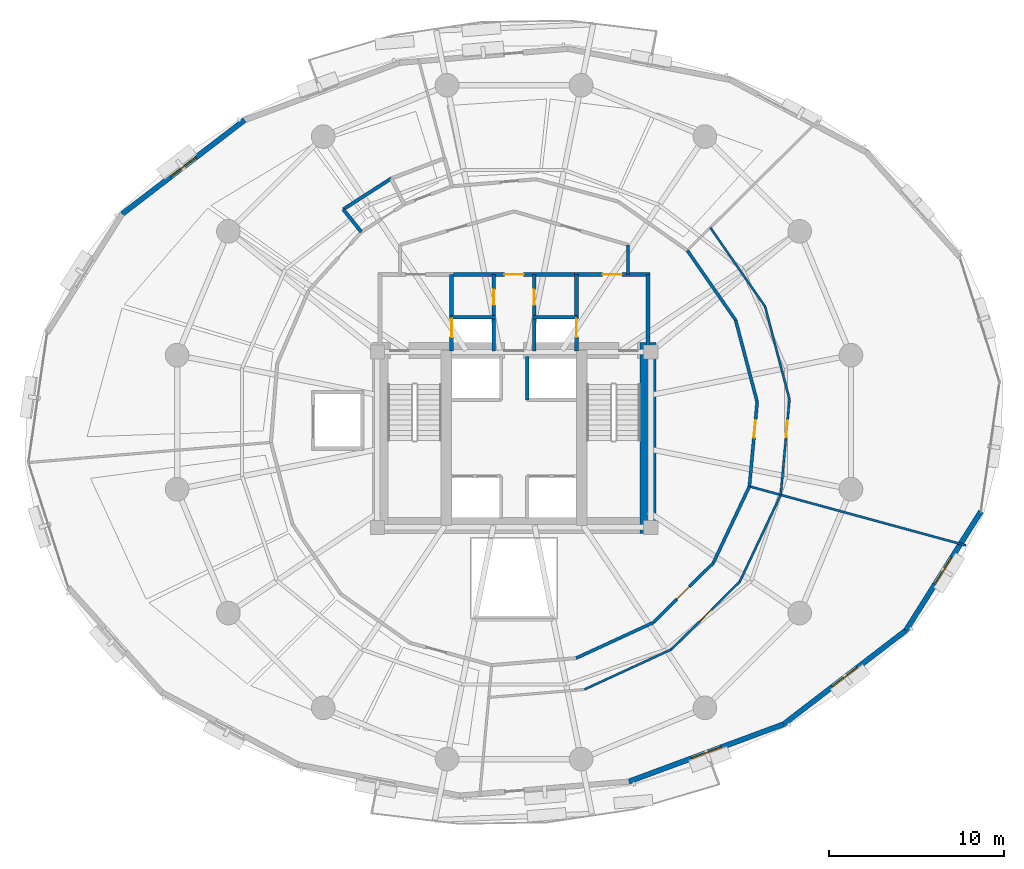
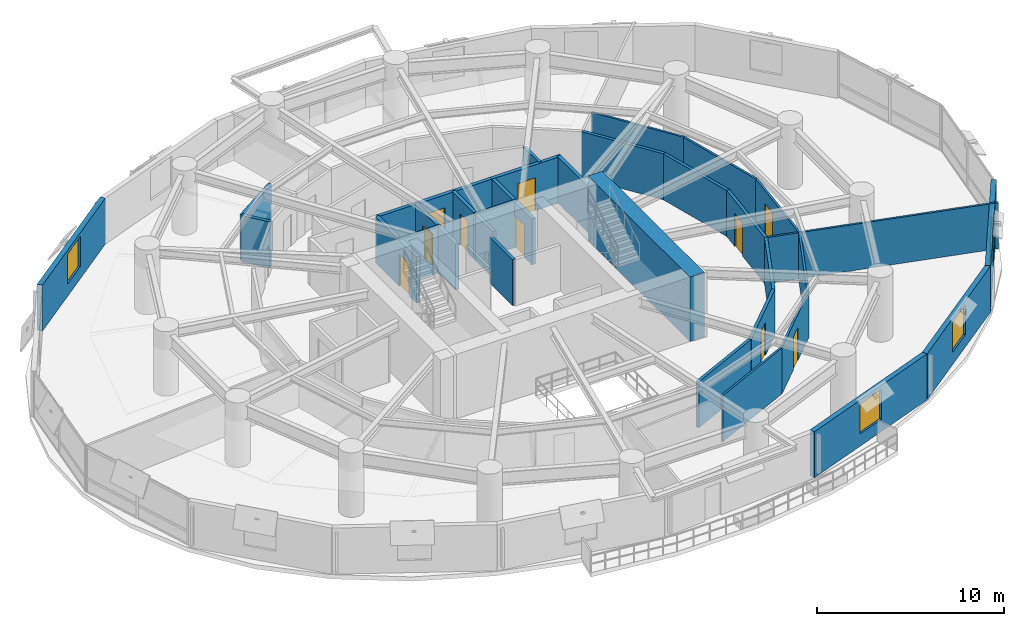
# One storey, part 11 of 16: 31 walls, 10 doors, 4 windows, 14 openings.
"""IFC4 building model written with IfcOpenShell, lengths in metres."""

from ifc_helpers import new_model, si_unit, direction, frame, frame_2d, origin, place, context, subcontext, project, spatial, rectangle, extrude, material, layer, layer_set, type_object, element, fill, save


model = new_model("IFC4")

# Units and contexts
model_context = context("Model", 3, precision=1e-05, world=origin(), true_north=direction((0.0, 1.0)))
body_context = subcontext(model_context, "Body", "Model", "MODEL_VIEW")
ifc_project = project(units=[si_unit("LENGTHUNIT", "METRE"), si_unit("AREAUNIT", "SQUARE_METRE"), si_unit("VOLUMEUNIT", "CUBIC_METRE"), si_unit("PLANEANGLEUNIT", "RADIAN"), si_unit("MASSUNIT", "GRAM", prefix="KILO"), si_unit("THERMODYNAMICTEMPERATUREUNIT", "KELVIN"), si_unit("POWERUNIT", "WATT")], contexts=[model_context])

# Site, building, storey
site_placement = place(None, origin())
site = spatial("IfcSite", under=ifc_project, at=site_placement, CompositionType="ELEMENT")
building_placement = place(site_placement, origin())
building = spatial("IfcBuilding", under=site, at=building_placement, Name="Ocrelia Relay Tower", CompositionType="ELEMENT")
storey_placement = place(building_placement, frame((0.0, 0.0, 51.0)))
storey = spatial("IfcBuildingStorey", under=building, at=storey_placement, Name="L11", CompositionType="ELEMENT", Elevation=51.0)

# Walls
ifc_material_1 = material(Name="Concrete C70/85", Category="concrete")
ifc_layer_1 = layer(ifc_material_1, 0.89990234375, Name="Concrete C70/85")
ifc_layer_set_1 = layer_set([ifc_layer_1], Name="Concrete C70/85")
wall_type_1 = type_object("IfcWallType", Name="CW-CORE-900", PredefinedType="SHEAR", material=ifc_layer_set_1)
wall_1_placement = place(storey_placement, frame((41.637939453125, 19.662109375, 0.0), z_axis=(0.0, 0.0, 1.0), x_axis=(0.0, 1.0, 0.0)))
element("IfcWall", 1, at=wall_1_placement, inside=storey, type_object=wall_type_1, Name="L11 Core Shear Wall E", PredefinedType="SHEAR", context=body_context, shape_type="SweptSolid", body=[
    extrude(rectangle(XDim=10.8759765625, YDim=0.89990234375, at=frame_2d((5.43798828125, 0.0))), origin(), (0.0, 0.0, 1.0), 4.199951171875),
])
ifc_material_2 = material(Name="Gypsum Fireboard Partition EI60", Category="gypsum")
ifc_layer_2 = layer(ifc_material_2, 0.179931640625, Name="Gypsum Fireboard Partition EI60")
ifc_layer_set_2 = layer_set([ifc_layer_2], Name="Gypsum Fireboard Partition EI60")
wall_type_2 = type_object("IfcWallType", Name="W-CORR-EI60-180", PredefinedType="PARTITIONING", material=ifc_layer_set_2)
wall_2_placement = place(storey_placement, frame((40.5, 36.122802734375, 0.0), z_axis=(0.0, 0.0, 1.0), x_axis=(0.0, -1.0, 0.0)))
element("IfcWall", 2, at=wall_2_placement, inside=storey, type_object=wall_type_2, Name="L11 Smoke Lobby East Return", PredefinedType="PARTITIONING", context=body_context, shape_type="SweptSolid", body=[
    extrude(rectangle(XDim=1.69287109375, YDim=0.179931640625, at=frame_2d((0.846435546875, 0.0))), origin(), (0.0, 0.0, 1.0), 3.0),
])
wall_3_placement = place(storey_placement, frame((37.544189453125, 12.538818359375, 0.0), z_axis=(0.0, 0.0, 1.0), x_axis=(0.908139632041, 0.418667420177, 0.0)))
element("IfcWall", 3, at=wall_3_placement, inside=storey, type_object=wall_type_2, Name="L11 Technical Conference Room Corridor Partition 2", PredefinedType="PARTITIONING", context=body_context, shape_type="SweptSolid", body=[
    extrude(rectangle(XDim=4.834228515625, YDim=0.179931640625, at=frame_2d((2.4169921875, 0.0))), origin(), (0.0, 0.0, 1.0), 3.0),
])

# Wall, opening, door
wall_4_placement = place(storey_placement, frame((41.934326171875, 14.562744140625, 0.0), z_axis=(0.0, 0.0, 1.0), x_axis=(0.710205816499, 0.703994103818, 0.0)))
wall_4 = element("IfcWall", 4, at=wall_4_placement, inside=storey, type_object=wall_type_2, Name="L11 Technical Conference Room Corridor Partition 3", PredefinedType="PARTITIONING", context=body_context, shape_type="SweptSolid", body=[
    extrude(rectangle(XDim=4.834228515625, YDim=0.179931640625, at=frame_2d((2.4169921875, 0.0))), origin(), (0.0, 0.0, 1.0), 3.0),
])
opening_1_placement = place(wall_4_placement, frame((1.917236328125, 0.0, 0.0)))
opening_1 = element("IfcOpeningElement", 5, at=opening_1_placement, cuts=wall_4, Name="Opening D-RM100", PredefinedType="OPENING", context=body_context, shape_type="SweptSolid", body=[
    extrude(rectangle(XDim=1.0, YDim=2.14990234375, at=frame_2d((0.5, 1.074951171875))), frame((0.0, 0.10009765625, 0.0), z_axis=(0.0, -1.0, 0.0), x_axis=(1.0, 0.0, 0.0)), (0.0, 0.0, 1.0), 0.199951171875),
])
ifc_material_3 = material(Name="Acoustic oak veneer fire door", Category="wood")
door_type_1 = type_object("IfcDoorType", Name="DR-ROOM-FD60-1000", OperationType="NOTDEFINED", PredefinedType="DOOR", material=ifc_material_3)
door_1_placement = place(opening_1_placement, origin())
door_1 = element("IfcDoor", 6, at=door_1_placement, inside=storey, type_object=door_type_1, Name="L11 Technical Conference Room Entrance Door", OperationType="SINGLE_SWING_RIGHT", OverallHeight=2.14990234375, OverallWidth=1.0, PredefinedType="DOOR", context=body_context, shape_type="SweptSolid", body=[
    extrude(rectangle(XDim=1.0, YDim=2.14990234375, at=frame_2d((0.5, 1.074951171875))), frame((0.0, 0.02490234375, 0.0), z_axis=(0.0, -1.0, 0.0), x_axis=(1.0, 0.0, 0.0)), (0.0, 0.0, 1.0), 0.050048828125),
])
fill(opening_1, door_1)

# Wall
wall_5_placement = place(storey_placement, frame((45.36767578125, 17.966064453125, 0.0), z_axis=(0.0, 0.0, 1.0), x_axis=(0.426531377893, 0.904472765578, 0.0)))
element("IfcWall", 7, at=wall_5_placement, inside=storey, type_object=wall_type_2, Name="L11 Technical Conference Room Corridor Partition 4", PredefinedType="PARTITIONING", context=body_context, shape_type="SweptSolid", body=[
    extrude(rectangle(XDim=4.83447265625, YDim=0.179931640625, at=frame_2d((2.417236328125, 0.0))), origin(), (0.0, 0.0, 1.0), 3.0),
])

# Wall, opening, door
wall_6_placement = place(storey_placement, frame((47.4296875, 22.338623046875, 0.0), z_axis=(0.0, 0.0, 1.0), x_axis=(0.091560227549, 0.995799540435, 0.0)))
wall_6 = element("IfcWall", 8, at=wall_6_placement, inside=storey, type_object=wall_type_2, Name="L11 Training Seminar Room Corridor Partition 1", PredefinedType="PARTITIONING", context=body_context, shape_type="SweptSolid", body=[
    extrude(rectangle(XDim=4.834228515625, YDim=0.179931640625, at=frame_2d((2.4169921875, 0.0))), origin(), (0.0, 0.0, 1.0), 3.0),
])
opening_2_placement = place(wall_6_placement, frame((2.80078125, 0.0, 0.0)))
opening_2 = element("IfcOpeningElement", 9, at=opening_2_placement, cuts=wall_6, Name="Opening D-RM100", PredefinedType="OPENING", context=body_context, shape_type="SweptSolid", body=[
    extrude(rectangle(XDim=1.0, YDim=2.14990234375, at=frame_2d((0.5, 1.074951171875))), frame((0.0, 0.10009765625, 0.0), z_axis=(0.0, -1.0, 0.0), x_axis=(1.0, 0.0, 0.0)), (0.0, 0.0, 1.0), 0.199951171875),
])
door_2_placement = place(opening_2_placement, origin())
door_2 = element("IfcDoor", 10, at=door_2_placement, inside=storey, type_object=door_type_1, Name="L11 Training Seminar Room Entrance Door", OperationType="SINGLE_SWING_RIGHT", OverallHeight=2.14990234375, OverallWidth=1.0, PredefinedType="DOOR", context=body_context, shape_type="SweptSolid", body=[
    extrude(rectangle(XDim=1.0, YDim=2.14990234375, at=frame_2d((0.5, 1.074951171875))), frame((0.0, 0.02490234375, 0.0), z_axis=(0.0, -1.0, 0.0), x_axis=(1.0, 0.0, 0.0)), (0.0, 0.0, 1.0), 0.050048828125),
])
fill(opening_2, door_2)

# Walls
for number, where, z_axis, x_axis, name in (
    (11, (47.872314453125, 27.152587890625, 0.0), (0.0, 0.0, 1.0), (-0.254625043829, 0.967039858049, 0.0), "L11 Training Seminar Room Corridor Partition 2"),
    (12, (46.641357421875, 31.82763671875, 0.0), (0.0, 0.0, 1.0), (-0.570000151009, 0.821644587306, 0.0), "L11 Training Seminar Room Corridor Partition 3"),
):
    element("IfcWall", number, at=place(storey_placement, frame(where, z_axis=z_axis, x_axis=x_axis)), inside=storey, type_object=wall_type_2, Name=name, PredefinedType="PARTITIONING", context=body_context, shape_type="SweptSolid", body=[
        extrude(rectangle(XDim=4.83447265625, YDim=0.179931640625, at=frame_2d((2.417236328125, 0.0))), origin(), (0.0, 0.0, 1.0), 3.0),
    ])

# Wall, opening, window
ifc_material_4 = material(Name="Precast concrete C40/50 with oxide terracotta", Category="masonry")
ifc_layer_3 = layer(ifc_material_4, 0.300048828125, Name="Precast concrete C40/50 with oxide terracotta")
ifc_layer_set_3 = layer_set([ifc_layer_3], Name="Precast concrete C40/50 with oxide terracotta")
wall_type_3 = type_object("IfcWallType", Name="W-EXT-TERR-300", PredefinedType="SOLIDWALL", material=ifc_layer_set_3)
wall_7_placement = place(storey_placement, frame((18.6201171875, 43.23193359375, 0.0), z_axis=(0.0, 0.0, 1.0), x_axis=(-0.793486127498, -0.608588338262, 0.0)))
wall_7 = element("IfcWall", 13, at=wall_7_placement, inside=storey, type_object=wall_type_3, Name="L11 Oxide Terracotta Facade Wall 07", PredefinedType="SOLIDWALL", context=body_context, shape_type="SweptSolid", body=[
    extrude(rectangle(XDim=8.79248046875, YDim=0.300048828125, at=frame_2d((4.396240234375, 0.0))), origin(), (0.0, 0.0, 1.0), 3.0),
])
opening_3_placement = place(wall_7_placement, frame((3.49609375, 0.0, 0.800048828125)))
opening_3 = element("IfcOpeningElement", 14, at=opening_3_placement, cuts=wall_7, Name="Opening W-02", PredefinedType="OPENING", context=body_context, shape_type="SweptSolid", body=[
    extrude(rectangle(XDim=1.800048828125, YDim=1.949951171875, at=frame_2d((0.89990234375, 0.97509765625))), frame((0.0, 0.16015625, 0.0), z_axis=(0.0, -1.0, 0.0), x_axis=(1.0, 0.0, 0.0)), (0.0, 0.0, 1.0), 0.320068359375),
])
ifc_material_5 = material(Name="Clear double-glazed low-E glass", Category="glass")
window_type = type_object("IfcWindowType", Name="WIN-Z1-1800x2100", PartitioningType="DOUBLE_PANEL_VERTICAL", PredefinedType="WINDOW", material=ifc_material_5)
window_1_placement = place(opening_3_placement, origin())
window_1 = element("IfcWindow", 15, at=window_1_placement, inside=storey, type_object=window_type, Name="L11 Facade Module Window 07", OverallHeight=1.949951171875, OverallWidth=1.800048828125, PartitioningType="SINGLE_PANEL", PredefinedType="WINDOW", context=body_context, shape_type="SweptSolid", body=[
    extrude(rectangle(XDim=1.800048828125, YDim=1.949951171875, at=frame_2d((0.89990234375, 0.97509765625))), frame((0.0, 0.030029296875, 0.0), z_axis=(0.0, -1.0, 0.0), x_axis=(1.0, 0.0, 0.0)), (0.0, 0.0, 1.0), 0.06005859375),
])
fill(opening_3, window_1)

wall_8_placement = place(storey_placement, frame((40.5478515625, 5.495361328125, 0.0), z_axis=(0.0, 0.0, 1.0), x_axis=(0.937694031854, 0.347462088042, 0.0)))
wall_8 = element("IfcWall", 16, at=wall_8_placement, inside=storey, type_object=wall_type_3, Name="L11 Oxide Terracotta Facade Wall 15", PredefinedType="SOLIDWALL", context=body_context, shape_type="SweptSolid", body=[
    extrude(rectangle(XDim=9.4189453125, YDim=0.300048828125, at=frame_2d((4.70947265625, 0.0))), origin(), (0.0, 0.0, 1.0), 3.0),
])
opening_4_placement = place(wall_8_placement, frame((3.80908203125, 0.0, 0.800048828125)))
opening_4 = element("IfcOpeningElement", 17, at=opening_4_placement, cuts=wall_8, Name="Opening W-02", PredefinedType="OPENING", context=body_context, shape_type="SweptSolid", body=[
    extrude(rectangle(XDim=1.800048828125, YDim=1.949951171875, at=frame_2d((0.89990234375, 0.97509765625))), frame((0.0, 0.16015625, 0.0), z_axis=(0.0, -1.0, 0.0), x_axis=(1.0, 0.0, 0.0)), (0.0, 0.0, 1.0), 0.320068359375),
])
window_2_placement = place(opening_4_placement, origin())
window_2 = element("IfcWindow", 18, at=window_2_placement, inside=storey, type_object=window_type, Name="L11 Facade Module Window 15", OverallHeight=1.949951171875, OverallWidth=1.800048828125, PartitioningType="SINGLE_PANEL", PredefinedType="WINDOW", context=body_context, shape_type="SweptSolid", body=[
    extrude(rectangle(XDim=1.800048828125, YDim=1.949951171875, at=frame_2d((0.89990234375, 0.97509765625))), frame((0.0, 0.030029296875, 0.0), z_axis=(0.0, -1.0, 0.0), x_axis=(1.0, 0.0, 0.0)), (0.0, 0.0, 1.0), 0.06005859375),
])
fill(opening_4, window_2)

wall_9_placement = place(storey_placement, frame((49.3798828125, 8.76806640625, 0.0), z_axis=(0.0, 0.0, 1.0), x_axis=(0.793486127498, 0.608588338262, 0.0)))
wall_9 = element("IfcWall", 19, at=wall_9_placement, inside=storey, type_object=wall_type_3, Name="L11 Oxide Terracotta Facade Wall 16", PredefinedType="SOLIDWALL", context=body_context, shape_type="SweptSolid", body=[
    extrude(rectangle(XDim=8.79248046875, YDim=0.300048828125, at=frame_2d((4.396240234375, 0.0))), origin(), (0.0, 0.0, 1.0), 3.0),
])
opening_5_placement = place(wall_9_placement, frame((3.49609375, 0.0, 0.800048828125)))
opening_5 = element("IfcOpeningElement", 20, at=opening_5_placement, cuts=wall_9, Name="Opening W-02", PredefinedType="OPENING", context=body_context, shape_type="SweptSolid", body=[
    extrude(rectangle(XDim=1.800048828125, YDim=1.949951171875, at=frame_2d((0.89990234375, 0.97509765625))), frame((0.0, 0.16015625, 0.0), z_axis=(0.0, -1.0, 0.0), x_axis=(1.0, 0.0, 0.0)), (0.0, 0.0, 1.0), 0.320068359375),
])
window_3_placement = place(opening_5_placement, origin())
window_3 = element("IfcWindow", 21, at=window_3_placement, inside=storey, type_object=window_type, Name="L11 Facade Module Window 16", OverallHeight=1.949951171875, OverallWidth=1.800048828125, PartitioningType="SINGLE_PANEL", PredefinedType="WINDOW", context=body_context, shape_type="SweptSolid", body=[
    extrude(rectangle(XDim=1.800048828125, YDim=1.949951171875, at=frame_2d((0.89990234375, 0.97509765625))), frame((0.0, 0.030029296875, 0.0), z_axis=(0.0, -1.0, 0.0), x_axis=(1.0, 0.0, 0.0)), (0.0, 0.0, 1.0), 0.06005859375),
])
fill(opening_5, window_3)

wall_10_placement = place(storey_placement, frame((56.356689453125, 14.119140625, 0.0), z_axis=(0.0, 0.0, 1.0), x_axis=(0.533594438525, 0.845740489261, 0.0)))
wall_10 = element("IfcWall", 22, at=wall_10_placement, inside=storey, type_object=wall_type_3, Name="L11 Oxide Terracotta Facade Wall 17", PredefinedType="SOLIDWALL", context=body_context, shape_type="SweptSolid", body=[
    extrude(rectangle(XDim=8.021484375, YDim=0.300048828125, at=frame_2d((4.0107421875, 0.0))), origin(), (0.0, 0.0, 1.0), 3.0),
])
opening_6_placement = place(wall_10_placement, frame((3.111083984375, 0.0, 0.800048828125)))
opening_6 = element("IfcOpeningElement", 23, at=opening_6_placement, cuts=wall_10, Name="Opening W-02", PredefinedType="OPENING", context=body_context, shape_type="SweptSolid", body=[
    extrude(rectangle(XDim=1.800048828125, YDim=1.949951171875, at=frame_2d((0.89990234375, 0.97509765625))), frame((0.0, 0.16015625, 0.0), z_axis=(0.0, -1.0, 0.0), x_axis=(1.0, 0.0, 0.0)), (0.0, 0.0, 1.0), 0.320068359375),
])
window_4_placement = place(opening_6_placement, origin())
window_4 = element("IfcWindow", 24, at=window_4_placement, inside=storey, type_object=window_type, Name="L11 Facade Module Window 17", OverallHeight=1.949951171875, OverallWidth=1.800048828125, PartitioningType="SINGLE_PANEL", PredefinedType="WINDOW", context=body_context, shape_type="SweptSolid", body=[
    extrude(rectangle(XDim=1.800048828125, YDim=1.949951171875, at=frame_2d((0.89990234375, 0.97509765625))), frame((0.0, 0.030029296875, 0.0), z_axis=(0.0, -1.0, 0.0), x_axis=(1.0, 0.0, 0.0)), (0.0, 0.0, 1.0), 0.06005859375),
])
fill(opening_6, window_4)

# Wall, opening, door
ifc_material_6 = material(Name="Concrete C50/60", Category="concrete")
ifc_layer_4 = layer(ifc_material_6, 0.219970703125, Name="Concrete C50/60")
ifc_layer_set_4 = layer_set([ifc_layer_4], Name="Concrete C50/60")
wall_type_4 = type_object("IfcWallType", Name="W-FFL-EI120-220", PredefinedType="SOLIDWALL", material=ifc_layer_set_4)
wall_11_placement = place(storey_placement, frame((30.43994140625, 30.050048828125, 0.0), z_axis=(0.0, 0.0, 1.0), x_axis=(0.0, 1.0, 0.0)))
wall_11 = element("IfcWall", 25, at=wall_11_placement, inside=storey, type_object=wall_type_4, Name="L11 W Fire Service Lift Lobby East Wall", PredefinedType="SOLIDWALL", context=body_context, shape_type="SweptSolid", body=[
    extrude(rectangle(XDim=4.3798828125, YDim=0.219970703125, at=frame_2d((2.18994140625, 0.0))), origin(), (0.0, 0.0, 1.0), 3.0),
])
opening_7_placement = place(wall_11_placement, frame((0.800048828125, 0.0, 0.0)))
opening_7 = element("IfcOpeningElement", 26, at=opening_7_placement, cuts=wall_11, Name="Opening LD-FFL1", PredefinedType="OPENING", context=body_context, shape_type="SweptSolid", body=[
    extrude(rectangle(XDim=1.050048828125, YDim=2.10009765625, at=frame_2d((0.52490234375, 1.050048828125))), frame((0.0, 0.1201171875, 0.0), z_axis=(0.0, -1.0, 0.0), x_axis=(1.0, 0.0, 0.0)), (0.0, 0.0, 1.0), 0.239990234375),
])
ifc_material_7 = material(Name="Brushed stainless steel S355 lift landing door", Category="steel")
door_type_2 = type_object("IfcDoorType", Name="DR-LIFT-LAND-1050", OperationType="DOUBLE_DOOR_SLIDING", PredefinedType="USERDEFINED", material=ifc_material_7)
door_3_placement = place(opening_7_placement, origin())
door_3 = element("IfcDoor", 27, at=door_3_placement, inside=storey, type_object=door_type_2, Name="L11 Firefighting Lift FFL1 Sliding Landing Door", ObjectType="LANDING DOOR", OperationType="DOUBLE_DOOR_SLIDING", OverallHeight=2.10009765625, OverallWidth=1.050048828125, PredefinedType="USERDEFINED", context=body_context, shape_type="SweptSolid", body=[
    extrude(rectangle(XDim=1.050048828125, YDim=2.10009765625, at=frame_2d((0.52490234375, 1.050048828125))), frame((0.0, 0.02490234375, 0.0), z_axis=(0.0, -1.0, 0.0), x_axis=(1.0, 0.0, 0.0)), (0.0, 0.0, 1.0), 0.050048828125),
])
fill(opening_7, door_3)

wall_12_placement = place(storey_placement, frame((37.56005859375, 30.050048828125, 0.0), z_axis=(0.0, 0.0, 1.0), x_axis=(0.0, 1.0, 0.0)))
wall_12 = element("IfcWall", 28, at=wall_12_placement, inside=storey, type_object=wall_type_4, Name="L11 E Fire Service Lift Lobby West Wall", PredefinedType="SOLIDWALL", context=body_context, shape_type="SweptSolid", body=[
    extrude(rectangle(XDim=4.3798828125, YDim=0.219970703125, at=frame_2d((2.18994140625, 0.0))), origin(), (0.0, 0.0, 1.0), 3.0),
])
opening_8_placement = place(wall_12_placement, frame((0.800048828125, 0.0, 0.0)))
opening_8 = element("IfcOpeningElement", 29, at=opening_8_placement, cuts=wall_12, Name="Opening LD-FFL2", PredefinedType="OPENING", context=body_context, shape_type="SweptSolid", body=[
    extrude(rectangle(XDim=1.050048828125, YDim=2.10009765625, at=frame_2d((0.52490234375, 1.050048828125))), frame((0.0, 0.1201171875, 0.0), z_axis=(0.0, -1.0, 0.0), x_axis=(1.0, 0.0, 0.0)), (0.0, 0.0, 1.0), 0.239990234375),
])
door_4_placement = place(opening_8_placement, origin())
door_4 = element("IfcDoor", 30, at=door_4_placement, inside=storey, type_object=door_type_2, Name="L11 Firefighting Lift FFL2 Sliding Landing Door", ObjectType="LANDING DOOR", OperationType="DOUBLE_DOOR_SLIDING", OverallHeight=2.10009765625, OverallWidth=1.050048828125, PredefinedType="USERDEFINED", context=body_context, shape_type="SweptSolid", body=[
    extrude(rectangle(XDim=1.050048828125, YDim=2.10009765625, at=frame_2d((0.52490234375, 1.050048828125))), frame((0.0, 0.02490234375, 0.0), z_axis=(0.0, -1.0, 0.0), x_axis=(1.0, 0.0, 0.0)), (0.0, 0.0, 1.0), 0.050048828125),
])
fill(opening_8, door_4)

# Wall
wall_13_placement = place(storey_placement, frame((41.64990234375, 30.050048828125, 0.0), z_axis=(0.0, 0.0, 1.0), x_axis=(0.0, 1.0, 0.0)))
element("IfcWall", 31, at=wall_13_placement, inside=storey, type_object=wall_type_4, Name="L11 E Fire Service Lift Lobby East Wall", PredefinedType="SOLIDWALL", context=body_context, shape_type="SweptSolid", body=[
    extrude(rectangle(XDim=4.3798828125, YDim=0.219970703125, at=frame_2d((2.18994140625, 0.0))), origin(), (0.0, 0.0, 1.0), 3.0),
])

# Wall, opening, door
wall_14_placement = place(storey_placement, frame((37.449951171875, 34.429931640625, 0.0), z_axis=(0.0, 0.0, 1.0), x_axis=(1.0, 0.0, 0.0)))
wall_14 = element("IfcWall", 32, at=wall_14_placement, inside=storey, type_object=wall_type_4, Name="L11 E Fire Service Lift Lobby North Wall", PredefinedType="SOLIDWALL", context=body_context, shape_type="SweptSolid", body=[
    extrude(rectangle(XDim=4.31005859375, YDim=0.219970703125, at=frame_2d((2.155029296875, 0.0))), origin(), (0.0, 0.0, 1.0), 3.0),
])
opening_9_placement = place(wall_14_placement, frame((1.60009765625, 0.0, 0.0)))
opening_9 = element("IfcOpeningElement", 33, at=opening_9_placement, cuts=wall_14, Name="Opening D-FD60", PredefinedType="OPENING", context=body_context, shape_type="SweptSolid", body=[
    extrude(rectangle(XDim=1.10009765625, YDim=2.14990234375, at=frame_2d((0.550048828125, 1.074951171875))), frame((0.0, 0.1201171875, 0.0), z_axis=(0.0, -1.0, 0.0), x_axis=(1.0, 0.0, 0.0)), (0.0, 0.0, 1.0), 0.239990234375),
])
ifc_material_8 = material(Name="Timber-core 60-min acoustic fire door", Category="wood")
door_type_3 = type_object("IfcDoorType", Name="DR-LOBBY-FD60-1100", OperationType="NOTDEFINED", PredefinedType="DOOR", material=ifc_material_8)
door_5_placement = place(opening_9_placement, origin())
door_5 = element("IfcDoor", 34, at=door_5_placement, inside=storey, type_object=door_type_3, Name="L11 E Fire Service Lift Lobby Exit Door", OperationType="SINGLE_SWING_LEFT", OverallHeight=2.14990234375, OverallWidth=1.10009765625, PredefinedType="DOOR", context=body_context, shape_type="SweptSolid", body=[
    extrude(rectangle(XDim=1.10009765625, YDim=2.14990234375, at=frame_2d((0.550048828125, 1.074951171875))), frame((0.0, 0.02490234375, 0.0), z_axis=(0.0, -1.0, 0.0), x_axis=(1.0, 0.0, 0.0)), (0.0, 0.0, 1.0), 0.050048828125),
])
fill(opening_9, door_5)

wall_15_placement = place(storey_placement, frame((30.43994140625, 34.429931640625, 0.0), z_axis=(0.0, 0.0, 1.0), x_axis=(1.0, 0.0, 0.0)))
wall_15 = element("IfcWall", 35, at=wall_15_placement, inside=storey, type_object=wall_type_4, Name="L11 North Core Vestibule Wall", PredefinedType="SOLIDWALL", context=body_context, shape_type="SweptSolid", body=[
    extrude(rectangle(XDim=7.1201171875, YDim=0.219970703125, at=frame_2d((3.56005859375, 0.0))), origin(), (0.0, 0.0, 1.0), 3.0),
])
opening_10_placement = place(wall_15_placement, frame((3.010009765625, 0.0, 0.0)))
opening_10 = element("IfcOpeningElement", 36, at=opening_10_placement, cuts=wall_15, Name="Opening D-FD60", PredefinedType="OPENING", context=body_context, shape_type="SweptSolid", body=[
    extrude(rectangle(XDim=1.10009765625, YDim=2.14990234375, at=frame_2d((0.550048828125, 1.074951171875))), frame((0.0, 0.1201171875, 0.0), z_axis=(0.0, -1.0, 0.0), x_axis=(1.0, 0.0, 0.0)), (0.0, 0.0, 1.0), 0.239990234375),
])
door_6_placement = place(opening_10_placement, origin())
door_6 = element("IfcDoor", 37, at=door_6_placement, inside=storey, type_object=door_type_3, Name="L11 North Core Vestibule Corridor Door", OperationType="SINGLE_SWING_LEFT", OverallHeight=2.14990234375, OverallWidth=1.10009765625, PredefinedType="DOOR", context=body_context, shape_type="SweptSolid", body=[
    extrude(rectangle(XDim=1.10009765625, YDim=2.14990234375, at=frame_2d((0.550048828125, 1.074951171875))), frame((0.0, 0.02490234375, 0.0), z_axis=(0.0, -1.0, 0.0), x_axis=(1.0, 0.0, 0.0)), (0.0, 0.0, 1.0), 0.050048828125),
])
fill(opening_10, door_6)

# Walls
ifc_material_9 = material(Name="Acoustic Fireboard Partition EI60", Category="gypsum")
ifc_layer_5 = layer(ifc_material_9, 0.125, Name="Acoustic Fireboard Partition EI60")
ifc_layer_set_5 = layer_set([ifc_layer_5], Name="Acoustic Fireboard Partition EI60")
wall_type_5 = type_object("IfcWallType", Name="W-PART-125", PredefinedType="PARTITIONING", material=ifc_layer_set_5)
wall_16_placement = place(storey_placement, frame((47.4296875, 22.338623046875, 0.0), z_axis=(0.0, 0.0, 1.0), x_axis=(0.964787141469, -0.263031883347, 0.0)))
element("IfcWall", 38, at=wall_16_placement, inside=storey, type_object=wall_type_5, Name="L11 Technical Conference Room Radial Partition", PredefinedType="PARTITIONING", context=body_context, shape_type="SweptSolid", body=[
    extrude(rectangle(XDim=12.802490234375, YDim=0.125, at=frame_2d((6.4013671875, 0.0))), origin(), (0.0, 0.0, 1.0), 3.0),
])
wall_17_placement = place(storey_placement, frame((38.01513671875, 10.749755859375, 0.0), z_axis=(0.0, 0.0, 1.0), x_axis=(0.908153692654, 0.41863691968, 0.0)))
element("IfcWall", 39, at=wall_17_placement, inside=storey, type_object=wall_type_5, Name="L11 Perimeter Technical Conference Room Mid-Ring Partition 2", PredefinedType="PARTITIONING", context=body_context, shape_type="SweptSolid", body=[
    extrude(rectangle(XDim=5.4765625, YDim=0.125, at=frame_2d((2.73828125, 0.0))), origin(), (0.0, 0.0, 1.0), 3.0),
])

# Wall, opening, door
wall_18_placement = place(storey_placement, frame((42.98876953125, 13.04248046875, 0.0), z_axis=(0.0, 0.0, 1.0), x_axis=(0.710175796822, 0.704024387083, 0.0)))
wall_18 = element("IfcWall", 40, at=wall_18_placement, inside=storey, type_object=wall_type_5, Name="L11 Perimeter Technical Conference Room Mid-Ring Partition 3", PredefinedType="PARTITIONING", context=body_context, shape_type="SweptSolid", body=[
    extrude(rectangle(XDim=5.47705078125, YDim=0.125, at=frame_2d((2.738525390625, 0.0))), origin(), (0.0, 0.0, 1.0), 3.0),
])
opening_11_placement = place(wall_18_placement, frame((2.263427734375, 0.0, 0.0)))
opening_11 = element("IfcOpeningElement", 41, at=opening_11_placement, cuts=wall_18, Name="Opening D-RM95", PredefinedType="OPENING", context=body_context, shape_type="SweptSolid", body=[
    extrude(rectangle(XDim=0.949951171875, YDim=2.14990234375, at=frame_2d((0.47509765625, 1.074951171875))), frame((0.0, 0.072509765625, 0.0), z_axis=(0.0, -1.0, 0.0), x_axis=(1.0, 0.0, 0.0)), (0.0, 0.0, 1.0), 0.14501953125),
])
door_type_4 = type_object("IfcDoorType", Name="DR-ROOM-950", OperationType="NOTDEFINED", PredefinedType="DOOR", material=ifc_material_3)
door_7_placement = place(opening_11_placement, origin())
door_7 = element("IfcDoor", 42, at=door_7_placement, inside=storey, type_object=door_type_4, Name="L11 Perimeter Technical Conference Room Connecting Door", OperationType="SINGLE_SWING_LEFT", OverallHeight=2.14990234375, OverallWidth=0.949951171875, PredefinedType="DOOR", context=body_context, shape_type="SweptSolid", body=[
    extrude(rectangle(XDim=0.949951171875, YDim=2.14990234375, at=frame_2d((0.47509765625, 1.074951171875))), frame((0.0, 0.02490234375, 0.0), z_axis=(0.0, -1.0, 0.0), x_axis=(1.0, 0.0, 0.0)), (0.0, 0.0, 1.0), 0.050048828125),
])
fill(opening_11, door_7)

# Wall
wall_19_placement = place(storey_placement, frame((46.87841796875, 16.8984375, 0.0), z_axis=(0.0, 0.0, 1.0), x_axis=(0.426554691337, 0.904461771054, 0.0)))
element("IfcWall", 43, at=wall_19_placement, inside=storey, type_object=wall_type_5, Name="L11 Perimeter Technical Conference Room Mid-Ring Partition 4", PredefinedType="PARTITIONING", context=body_context, shape_type="SweptSolid", body=[
    extrude(rectangle(XDim=5.476806640625, YDim=0.125, at=frame_2d((2.73828125, 0.0))), origin(), (0.0, 0.0, 1.0), 3.0),
])

# Wall, opening, door
wall_20_placement = place(storey_placement, frame((49.214599609375, 21.85205078125, 0.0), z_axis=(0.0, 0.0, 1.0), x_axis=(0.091516394144, 0.995803569788, 0.0)))
wall_20 = element("IfcWall", 44, at=wall_20_placement, inside=storey, type_object=wall_type_5, Name="L11 Perimeter Training Seminar Room Mid-Ring Partition 1", PredefinedType="PARTITIONING", context=body_context, shape_type="SweptSolid", body=[
    extrude(rectangle(XDim=5.476806640625, YDim=0.125, at=frame_2d((2.73828125, 0.0))), origin(), (0.0, 0.0, 1.0), 3.0),
])
opening_12_placement = place(wall_20_placement, frame((3.30517578125, 0.0, 0.0)))
opening_12 = element("IfcOpeningElement", 45, at=opening_12_placement, cuts=wall_20, Name="Opening D-RM95", PredefinedType="OPENING", context=body_context, shape_type="SweptSolid", body=[
    extrude(rectangle(XDim=0.949951171875, YDim=2.14990234375, at=frame_2d((0.47509765625, 1.074951171875))), frame((0.0, 0.072509765625, 0.0), z_axis=(0.0, -1.0, 0.0), x_axis=(1.0, 0.0, 0.0)), (0.0, 0.0, 1.0), 0.14501953125),
])
door_8_placement = place(opening_12_placement, origin())
door_8 = element("IfcDoor", 46, at=door_8_placement, inside=storey, type_object=door_type_4, Name="L11 Perimeter Training Seminar Room Connecting Door", OperationType="SINGLE_SWING_LEFT", OverallHeight=2.14990234375, OverallWidth=0.949951171875, PredefinedType="DOOR", context=body_context, shape_type="SweptSolid", body=[
    extrude(rectangle(XDim=0.949951171875, YDim=2.14990234375, at=frame_2d((0.47509765625, 1.074951171875))), frame((0.0, 0.02490234375, 0.0), z_axis=(0.0, -1.0, 0.0), x_axis=(1.0, 0.0, 0.0)), (0.0, 0.0, 1.0), 0.050048828125),
])
fill(opening_12, door_8)

# Walls
for number, where, z_axis, x_axis, name in (
    (47, (49.7158203125, 27.305908203125, 0.0), (0.0, 0.0, 1.0), (-0.254620559315, 0.967041038826, 0.0), "L11 Perimeter Training Seminar Room Mid-Ring Partition 2"),
    (48, (48.3212890625, 32.602294921875, 0.0), (0.0, 0.0, 1.0), (-0.569974691464, 0.821662248792, 0.0), "L11 Perimeter Training Seminar Room Mid-Ring Partition 3"),
):
    element("IfcWall", number, at=place(storey_placement, frame(where, z_axis=z_axis, x_axis=x_axis)), inside=storey, type_object=wall_type_5, Name=name, PredefinedType="PARTITIONING", context=body_context, shape_type="SweptSolid", body=[
        extrude(rectangle(XDim=5.476806640625, YDim=0.125, at=frame_2d((2.73828125, 0.0))), origin(), (0.0, 0.0, 1.0), 3.0),
    ])
ifc_material_10 = material(Name="Moisture-Resistant Fireboard Chase Wall EI60", Category="gypsum")
ifc_layer_6 = layer(ifc_material_10, 0.199951171875, Name="Moisture-Resistant Fireboard Chase Wall EI60")
ifc_layer_set_6 = layer_set([ifc_layer_6], Name="Moisture-Resistant Fireboard Chase Wall EI60")
wall_type_6 = type_object("IfcWallType", Name="W-PLUMB-200", PredefinedType="PLUMBINGWALL", material=ifc_layer_set_6)
wall_21_placement = place(storey_placement, frame((25.287109375, 36.85595703125, 0.0), z_axis=(0.0, 0.0, 1.0), x_axis=(-0.625885246077, 0.779915161247, 0.0)))
element("IfcWall", 49, at=wall_21_placement, inside=storey, type_object=wall_type_6, Name="L11 Accessible Toilet Plumbing Radial Wall", PredefinedType="PLUMBINGWALL", context=body_context, shape_type="SweptSolid", body=[
    extrude(rectangle(XDim=1.64990234375, YDim=0.199951171875, at=frame_2d((0.824951171875, 0.0))), origin(), (0.0, 0.0, 1.0), 3.0),
])
wall_22_placement = place(storey_placement, frame((26.991943359375, 39.90380859375, 0.0), z_axis=(0.0, 0.0, 1.0), x_axis=(-0.841020037303, -0.5410039712, 0.0)))
element("IfcWall", 50, at=wall_22_placement, inside=storey, type_object=wall_type_6, Name="L11 Accessible Toilet Back Plumbing Wall", PredefinedType="PLUMBINGWALL", context=body_context, shape_type="SweptSolid", body=[
    extrude(rectangle(XDim=3.255126953125, YDim=0.199951171875, at=frame_2d((1.62744140625, 0.0))), origin(), (0.0, 0.0, 1.0), 3.0),
])
ifc_layer_7 = layer(ifc_material_6, 0.199951171875, Name="Concrete C50/60")
ifc_layer_set_7 = layer_set([ifc_layer_7], Name="Concrete C50/60")
wall_type_7 = type_object("IfcWallType", Name="W-SHAFT-EI120-200", PredefinedType="SOLIDWALL", material=ifc_layer_set_7)
wall_23_placement = place(storey_placement, frame((30.39990234375, 32.0, 0.0), z_axis=(0.0, 0.0, 1.0), x_axis=(1.0, 0.0, 0.0)))
element("IfcWall", 51, at=wall_23_placement, inside=storey, type_object=wall_type_7, Name="L11 FFL1 Hoistway North Wall", PredefinedType="SOLIDWALL", context=body_context, shape_type="SweptSolid", body=[
    extrude(rectangle(XDim=2.550048828125, YDim=0.199951171875, at=frame_2d((1.27490234375, 0.0))), origin(), (0.0, 0.0, 1.0), 3.0),
])

# Wall, opening, door
wall_24_placement = place(storey_placement, frame((32.85009765625, 30.050048828125, 0.0), z_axis=(0.0, 0.0, 1.0), x_axis=(0.0, 1.0, 0.0)))
wall_24 = element("IfcWall", 52, at=wall_24_placement, inside=storey, type_object=wall_type_7, Name="L11 FFL1 and Service Vestibule Wall", PredefinedType="SOLIDWALL", context=body_context, shape_type="SweptSolid", body=[
    extrude(rectangle(XDim=4.3798828125, YDim=0.199951171875, at=frame_2d((2.18994140625, 0.0))), origin(), (0.0, 0.0, 1.0), 3.0),
])
opening_13_placement = place(wall_24_placement, frame((2.64990234375, 0.0, 0.0)))
opening_13 = element("IfcOpeningElement", 53, at=opening_13_placement, cuts=wall_24, Name="Opening D-RS86", PredefinedType="OPENING", context=body_context, shape_type="SweptSolid", body=[
    extrude(rectangle(XDim=0.860107421875, YDim=2.050048828125, at=frame_2d((0.43017578125, 1.02490234375))), frame((0.0, 0.10986328125, 0.0), z_axis=(0.0, -1.0, 0.0), x_axis=(1.0, 0.0, 0.0)), (0.0, 0.0, 1.0), 0.219970703125),
])
ifc_material_11 = material(Name="Steel S355 riser access fire door", Category="steel")
door_type_5 = type_object("IfcDoorType", Name="DR-RISER-TRAP-860", OperationType="NOTDEFINED", PredefinedType="TRAPDOOR", material=ifc_material_11)
door_9_placement = place(opening_13_placement, origin())
door_9 = element("IfcDoor", 54, at=door_9_placement, inside=storey, type_object=door_type_5, Name="L11 Core Support Room W Door", OperationType="SINGLE_SWING_RIGHT", OverallHeight=2.050048828125, OverallWidth=0.860107421875, PredefinedType="TRAPDOOR", context=body_context, shape_type="SweptSolid", body=[
    extrude(rectangle(XDim=0.860107421875, YDim=2.050048828125, at=frame_2d((0.43017578125, 1.02490234375))), frame((0.0, 0.02490234375, 0.0), z_axis=(0.0, -1.0, 0.0), x_axis=(1.0, 0.0, 0.0)), (0.0, 0.0, 1.0), 0.050048828125),
])
fill(opening_13, door_9)

# Wall
wall_25_placement = place(storey_placement, frame((35.050048828125, 32.0, 0.0), z_axis=(0.0, 0.0, 1.0), x_axis=(1.0, 0.0, 0.0)))
element("IfcWall", 55, at=wall_25_placement, inside=storey, type_object=wall_type_7, Name="L11 FFL2 Hoistway North Wall", PredefinedType="SOLIDWALL", context=body_context, shape_type="SweptSolid", body=[
    extrude(rectangle(XDim=2.550048828125, YDim=0.199951171875, at=frame_2d((1.27490234375, 0.0))), origin(), (0.0, 0.0, 1.0), 3.0),
])

# Wall, opening, door
wall_26_placement = place(storey_placement, frame((35.14990234375, 30.050048828125, 0.0), z_axis=(0.0, 0.0, 1.0), x_axis=(0.0, 1.0, 0.0)))
wall_26 = element("IfcWall", 56, at=wall_26_placement, inside=storey, type_object=wall_type_7, Name="L11 FFL2 and Service Vestibule Wall", PredefinedType="SOLIDWALL", context=body_context, shape_type="SweptSolid", body=[
    extrude(rectangle(XDim=4.3798828125, YDim=0.199951171875, at=frame_2d((2.18994140625, 0.0))), origin(), (0.0, 0.0, 1.0), 3.0),
])
opening_14_placement = place(wall_26_placement, frame((2.64990234375, 0.0, 0.0)))
opening_14 = element("IfcOpeningElement", 57, at=opening_14_placement, cuts=wall_26, Name="Opening D-RS86", PredefinedType="OPENING", context=body_context, shape_type="SweptSolid", body=[
    extrude(rectangle(XDim=0.860107421875, YDim=2.050048828125, at=frame_2d((0.43017578125, 1.02490234375))), frame((0.0, 0.10986328125, 0.0), z_axis=(0.0, -1.0, 0.0), x_axis=(1.0, 0.0, 0.0)), (0.0, 0.0, 1.0), 0.219970703125),
])
door_10_placement = place(opening_14_placement, origin())
door_10 = element("IfcDoor", 58, at=door_10_placement, inside=storey, type_object=door_type_5, Name="L11 Core Support Room E Door", OperationType="SINGLE_SWING_RIGHT", OverallHeight=2.050048828125, OverallWidth=0.860107421875, PredefinedType="TRAPDOOR", context=body_context, shape_type="SweptSolid", body=[
    extrude(rectangle(XDim=0.860107421875, YDim=2.050048828125, at=frame_2d((0.43017578125, 1.02490234375))), frame((0.0, 0.02490234375, 0.0), z_axis=(0.0, -1.0, 0.0), x_axis=(1.0, 0.0, 0.0)), (0.0, 0.0, 1.0), 0.050048828125),
])
fill(opening_14, door_10)

# Wall
wall_27_placement = place(storey_placement, frame((34.75, 27.280029296875, 0.0), z_axis=(0.0, 0.0, 1.0), x_axis=(0.0, 1.0, 0.0)))
element("IfcWall", 59, at=wall_27_placement, inside=storey, type_object=wall_type_7, Name="L11 High-Rise Lift Throat Wall E", PredefinedType="SOLIDWALL", context=body_context, shape_type="SweptSolid", body=[
    extrude(rectangle(XDim=2.469970703125, YDim=0.179931640625, at=frame_2d((1.23486328125, 0.0))), origin(), (0.0, 0.0, 1.0), 3.0),
])

save(model, "model.ifc")
